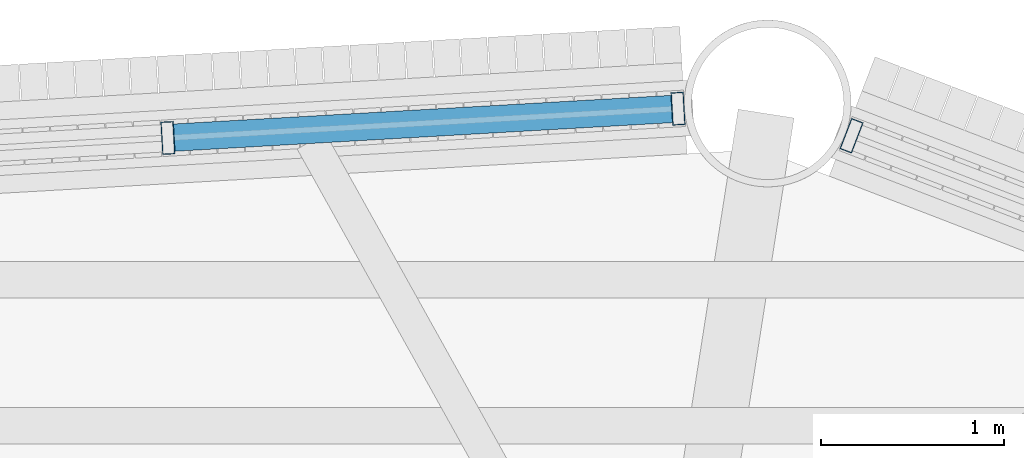
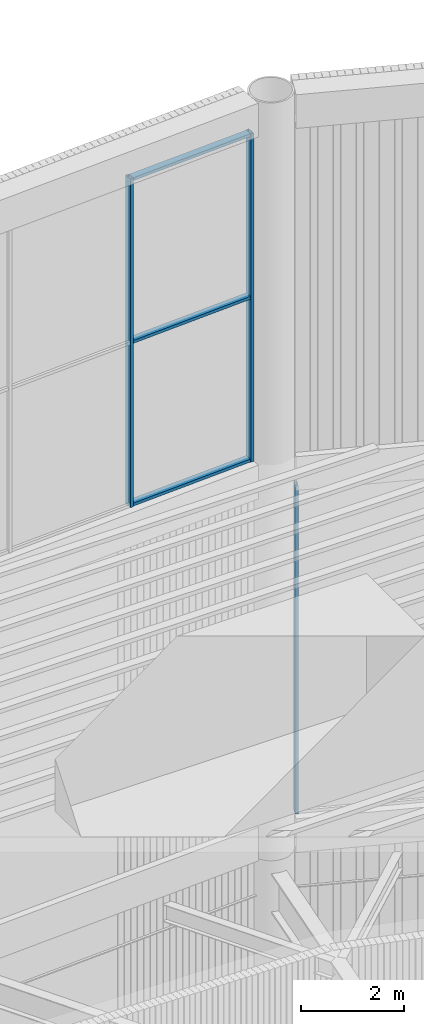
# One storey, part 78 of 117: 6 members, 2 elements without a shape of their own.
"""IFC4 building model written with IfcOpenShell, lengths in metres."""

from ifc_helpers import new_model, si_unit, direction, frame, origin, origin_2d, place, context, subcontext, project, spatial, hollow_rectangle, extrude, material, layer, layer_set, material_profile, profile_set, type_object, element, aggregate, save


model = new_model("IFC4")

# Units and contexts
model_context = context("Model", 3, precision=1e-05, world=origin(), true_north=direction((0.0, 1.0)))
body_context = subcontext(model_context, "Body", "Model", "MODEL_VIEW")
ifc_project = project(units=[si_unit("LENGTHUNIT", "METRE"), si_unit("AREAUNIT", "SQUARE_METRE"), si_unit("VOLUMEUNIT", "CUBIC_METRE"), si_unit("PLANEANGLEUNIT", "RADIAN"), si_unit("MASSUNIT", "GRAM", prefix="KILO")], contexts=[model_context])

# Site, building, storey
site_placement = place(None, origin())
site = spatial("IfcSite", under=ifc_project, at=site_placement, CompositionType="ELEMENT")
building_placement = place(site_placement, origin())
building = spatial("IfcBuilding", under=site, at=building_placement, Name="Tarsis Ring Headquarters", CompositionType="ELEMENT")
storey_placement = place(building_placement, frame((0.0, 0.0, 403.60009765625)))
storey = spatial("IfcBuildingStorey", under=building, at=storey_placement, Name="L95", CompositionType="ELEMENT", Elevation=403.60009765625)

# Curtain wall, member
ifc_material_1 = material(Name="Aluminium curtain wall", Category="aluminium")
ifc_layer = layer(ifc_material_1, 0.179931640625)
ifc_layer_set = layer_set([ifc_layer], Name="Curtain wall crown glazing")
curtain_wall_type = type_object("IfcCurtainWallType", Name="Curtain wall crown glazing", PredefinedType="NOTDEFINED", material=ifc_layer_set)
curtain_wall_1_placement = place(storey_placement, origin())
curtain_wall_1 = element("IfcCurtainWall", 1, at=curtain_wall_1_placement, inside=storey, type_object=curtain_wall_type, Name="Crown glazing L9", PredefinedType="NOTDEFINED")
ifc_material_2 = material(Name="Aluminium mullion", Category="aluminium")
ifc_material_profile_1 = material_profile(ifc_material_2, hollow_rectangle(XDim=0.179931640625, YDim=0.070068359375, WallThickness=0.0048828125, at=origin_2d()), Name="RHS 180x70x5")
ifc_profile_set_1 = profile_set([ifc_material_profile_1], Name="Aluminium mullion")
member_type_1 = type_object("IfcMemberType", Name="Crown glazing mullion RHS 180x70x5", PredefinedType="MULLION", material=ifc_profile_set_1)
member_1_placement = place(storey_placement, frame((4.943359375, 28.523681640625, 5.7998046875), z_axis=(0.0, 0.0, 1.0), x_axis=(-0.359202780717, -0.933259536423, 0.0)))
member_1 = element("IfcMember", 2, at=member_1_placement, type_object=member_type_1, Name="CW-C mullion 5", PredefinedType="MULLION", context=body_context, shape_type="SweptSolid", body=[
    extrude(hollow_rectangle(XDim=0.179931640625, YDim=0.070068359375, WallThickness=0.0048828125, at=origin_2d()), origin(), (0.0, 0.0, 1.0), 7.800048828125),
])
aggregate(curtain_wall_1, [member_1])

# Curtain wall, members
curtain_wall_2_placement = place(storey_placement, origin())
curtain_wall_2 = element("IfcCurtainWall", 3, at=curtain_wall_2_placement, inside=storey, type_object=curtain_wall_type, Name="Crown glazing U10", PredefinedType="NOTDEFINED")
member_2_placement = place(storey_placement, frame((3.992919921875, 28.672119140625, 14.39990234375), z_axis=(0.0, 0.0, 1.0), x_axis=(0.057411549568, -0.998350596723, 0.0)))
member_2 = element("IfcMember", 4, at=member_2_placement, type_object=member_type_1, Name="CW-C mullion 1", PredefinedType="MULLION", context=body_context, shape_type="SweptSolid", body=[
    extrude(hollow_rectangle(XDim=0.179931640625, YDim=0.070068359375, WallThickness=0.0048828125, at=origin_2d()), origin(), (0.0, 0.0, 1.0), 7.800048828125),
])
member_3_placement = place(storey_placement, frame((1.19873046875, 28.511474609375, 14.39990234375), z_axis=(0.0, 0.0, 1.0), x_axis=(0.057411549568, -0.998350596723, 0.0)))
member_3 = element("IfcMember", 5, at=member_3_placement, type_object=member_type_1, Name="CW-C mullion 2", PredefinedType="MULLION", context=body_context, shape_type="SweptSolid", body=[
    extrude(hollow_rectangle(XDim=0.179931640625, YDim=0.070068359375, WallThickness=0.0048828125, at=origin_2d()), origin(), (0.0, 0.0, 1.0), 7.800048828125),
])
ifc_material_3 = material(Name="Aluminium transom", Category="aluminium")
ifc_material_profile_2 = material_profile(ifc_material_3, hollow_rectangle(XDim=0.14990234375, YDim=0.070068359375, WallThickness=0.0048828125, at=origin_2d()), Name="RHS 150x70x5")
ifc_profile_set_2 = profile_set([ifc_material_profile_2], Name="Aluminium transom")
member_type_2 = type_object("IfcMemberType", Name="Crown glazing transom RHS 150x70x5", PredefinedType="USERDEFINED", material=ifc_profile_set_2)
member_4_placement = place(storey_placement, frame((3.9580078125, 28.670166015625, 14.434814453125), z_axis=(-0.998349129441, -0.057437058975, 0.0), x_axis=(0.057437058975, -0.998349129441, 0.0)))
member_4 = element("IfcMember", 6, at=member_4_placement, type_object=member_type_2, Name="CW-C transom 1.1", ObjectType="TRANSOM", PredefinedType="USERDEFINED", context=body_context, shape_type="SweptSolid", body=[
    extrude(hollow_rectangle(XDim=0.14990234375, YDim=0.070068359375, WallThickness=0.0048828125, at=origin_2d()), origin(), (0.0, 0.0, 1.0), 2.728759765625),
])
member_5_placement = place(storey_placement, frame((3.9580078125, 28.670166015625, 18.2998046875), z_axis=(-0.998349129441, -0.057437058975, 0.0), x_axis=(0.057437058975, -0.998349129441, 0.0)))
member_5 = element("IfcMember", 7, at=member_5_placement, type_object=member_type_2, Name="CW-C transom 1.2", ObjectType="TRANSOM", PredefinedType="USERDEFINED", context=body_context, shape_type="SweptSolid", body=[
    extrude(hollow_rectangle(XDim=0.14990234375, YDim=0.070068359375, WallThickness=0.0048828125, at=origin_2d()), origin(), (0.0, 0.0, 1.0), 2.728759765625),
])
member_6_placement = place(storey_placement, frame((3.9580078125, 28.670166015625, 22.164794921875), z_axis=(-0.998349129441, -0.057437058975, 0.0), x_axis=(0.057437058975, -0.998349129441, 0.0)))
member_6 = element("IfcMember", 8, at=member_6_placement, type_object=member_type_2, Name="CW-C transom 1.3", ObjectType="TRANSOM", PredefinedType="USERDEFINED", context=body_context, shape_type="SweptSolid", body=[
    extrude(hollow_rectangle(XDim=0.14990234375, YDim=0.070068359375, WallThickness=0.0048828125, at=origin_2d()), origin(), (0.0, 0.0, 1.0), 2.728759765625),
])
aggregate(curtain_wall_2, [member_2, member_3, member_4, member_5, member_6])

save(model, "model.ifc")
